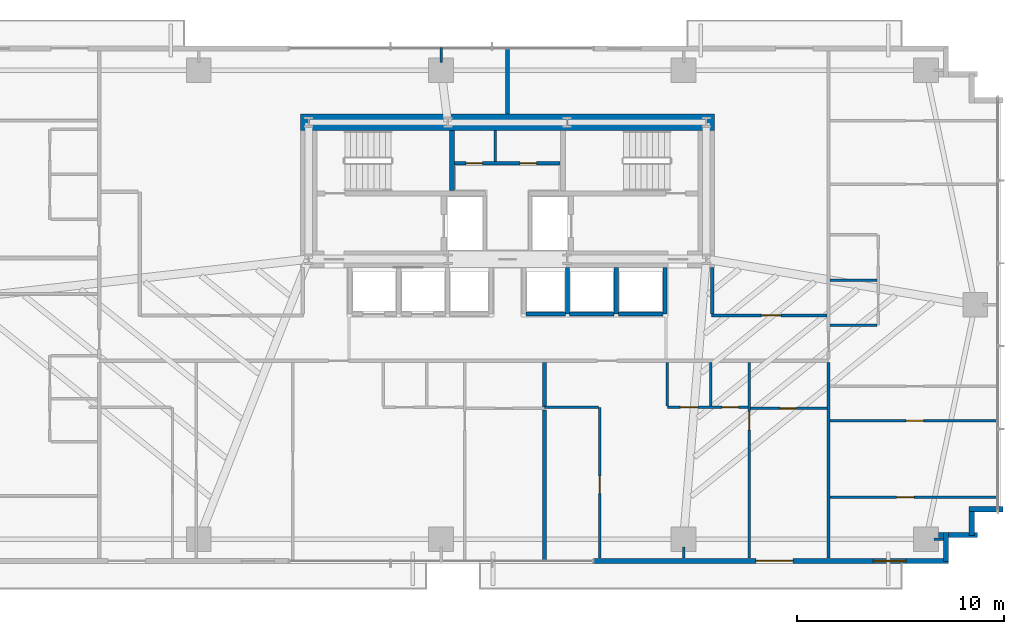
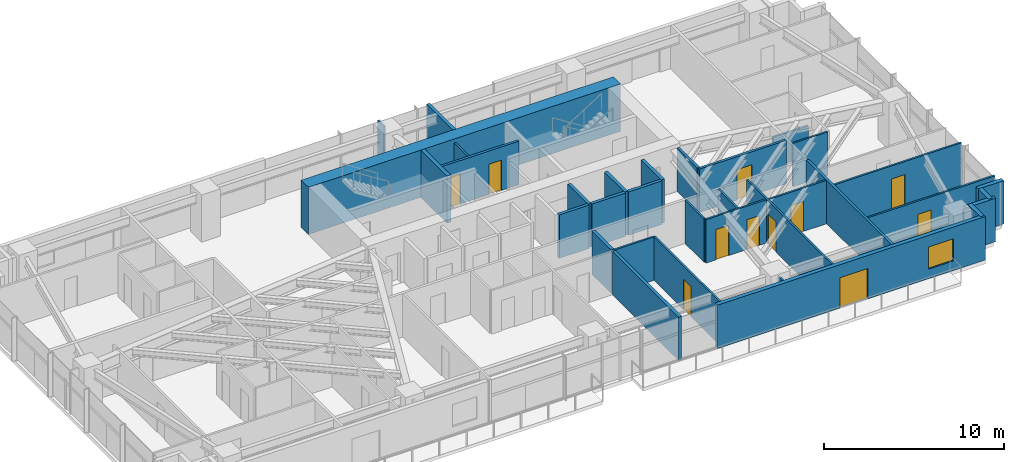
# One storey, part 21 of 25: 35 walls, 11 doors, 1 window, 12 openings.
"""IFC4 building model written with IfcOpenShell, lengths in metres."""

from ifc_helpers import new_model, si_unit, direction, frame, frame_2d, origin, place, context, subcontext, project, spatial, rectangle, extrude, source, transform, mapped, material, layer, layer_set, type_object, type_shapes, element, fill, save


model = new_model("IFC4")

# Units and contexts
model_context = context("Model", 3, precision=1e-05, world=origin(), true_north=direction((0.0, 1.0)))
body_context = subcontext(model_context, "Body", "Model", "MODEL_VIEW")
ifc_project = project(units=[si_unit("LENGTHUNIT", "METRE"), si_unit("AREAUNIT", "SQUARE_METRE"), si_unit("VOLUMEUNIT", "CUBIC_METRE"), si_unit("PLANEANGLEUNIT", "RADIAN"), si_unit("MASSUNIT", "GRAM", prefix="KILO")], contexts=[model_context])

# Site, building, storey
site_placement = place(None, origin())
site = spatial("IfcSite", under=ifc_project, at=site_placement, CompositionType="ELEMENT")
building_placement = place(site_placement, origin())
building = spatial("IfcBuilding", under=site, at=building_placement, Name="Astriad Promenade Condominiums", CompositionType="ELEMENT")
storey_placement = place(building_placement, frame((0.0, 0.0, 32.60009765625)))
storey = spatial("IfcBuildingStorey", under=building, at=storey_placement, Name="L08", CompositionType="ELEMENT", Elevation=32.60009765625)

# Walls
ifc_material_1 = material(Name="Concrete C80/95", Category="concrete")
ifc_layer_1 = layer(ifc_material_1, 0.800048828125)
ifc_layer_set_1 = layer_set([ifc_layer_1], Name="Concrete C80/95")
wall_type_1 = type_object("IfcWallType", Name="CW-SHEAR-800", PredefinedType="SHEAR", material=ifc_layer_set_1)
wall_1_placement = place(storey_placement, frame((26.0, 24.0, 0.0), z_axis=(0.0, 0.0, 1.0), x_axis=(1.0, 0.0, 0.0)))
element("IfcWall", 1, at=wall_1_placement, inside=storey, type_object=wall_type_1, Name="CW-CORE-N-L08", PredefinedType="SHEAR", context=body_context, shape_type="SweptSolid", body=[
    extrude(rectangle(XDim=20.0, YDim=0.800048828125, at=frame_2d((10.0, 0.0))), origin(), (0.0, 0.0, 1.0), 3.199951171875),
])
ifc_material_2 = material(Name="Concrete C50/60", Category="concrete")
ifc_layer_2 = layer(ifc_material_2, 0.25)
ifc_layer_set_2 = layer_set([ifc_layer_2], Name="Concrete C50/60")
wall_type_2 = type_object("IfcWallType", Name="WALL-CORE-INT-250", PredefinedType="SOLIDWALL", material=ifc_layer_set_2)
wall_2_placement = place(storey_placement, frame((33.324951171875, 20.701904296875, 0.0), z_axis=(0.0, 0.0, 1.0), x_axis=(0.0, 1.0, 0.0)))
element("IfcWall", 2, at=wall_2_placement, inside=storey, type_object=wall_type_2, Name="CW-ST1-E-L08", PredefinedType="SOLIDWALL", context=body_context, shape_type="SweptSolid", body=[
    extrude(rectangle(XDim=2.89599609375, YDim=0.25, at=frame_2d((1.447998046875, 0.0))), origin(), (0.0, 0.0, 1.0), 3.199951171875),
])

# Wall, openings, doors
ifc_material_3 = material(Name="Fire-Rated Gypsum Partition")
ifc_layer_3 = layer(ifc_material_3, 0.159912109375)
ifc_layer_set_3 = layer_set([ifc_layer_3], Name="Fire-Rated Gypsum Partition")
wall_type_3 = type_object("IfcWallType", Name="WALL-CORR-160", PredefinedType="PARTITIONING", material=ifc_layer_set_3)
wall_3_placement = place(storey_placement, frame((33.451904296875, 22.030029296875, 0.0), z_axis=(0.0, 0.0, 1.0), x_axis=(1.0, 0.0, 0.0)))
wall_3 = element("IfcWall", 3, at=wall_3_placement, inside=storey, type_object=wall_type_3, Name="CW-AUX-N-L08", PredefinedType="PARTITIONING", context=body_context, shape_type="SweptSolid", body=[
    extrude(rectangle(XDim=5.09619140625, YDim=0.159912109375, at=frame_2d((2.548095703125, 0.0))), origin(), (0.0, 0.0, 1.0), 2.93994140625),
])
opening_1_placement = place(wall_3_placement, frame((0.5380859375, 0.0, 0.0)))
opening_1 = element("IfcOpeningElement", 4, at=opening_1_placement, cuts=wall_3, Name="Opening FD60-SV-080", PredefinedType="OPENING", context=body_context, shape_type="SweptSolid", body=[
    extrude(rectangle(XDim=0.800048828125, YDim=2.050048828125, at=frame_2d((0.39990234375, 1.02490234375))), frame((0.0, 0.08984375, 0.0), z_axis=(0.0, -1.0, 0.0), x_axis=(1.0, 0.0, 0.0)), (0.0, 0.0, 1.0), 0.179931640625),
])
opening_2_placement = place(wall_3_placement, frame((3.157958984375, 0.0, 0.0)))
opening_2 = element("IfcOpeningElement", 5, at=opening_2_placement, cuts=wall_3, Name="Opening FD60-SV-080", PredefinedType="OPENING", context=body_context, shape_type="SweptSolid", body=[
    extrude(rectangle(XDim=0.800048828125, YDim=2.050048828125, at=frame_2d((0.39990234375, 1.02490234375))), frame((0.0, 0.08984375, 0.0), z_axis=(0.0, -1.0, 0.0), x_axis=(1.0, 0.0, 0.0)), (0.0, 0.0, 1.0), 0.179931640625),
])
ifc_material_4 = material(Name="Fire-Rated Riser Closet Door")
door_type_1 = type_object("IfcDoorType", Name="FD60-SV-080", OperationType="NOTDEFINED", PredefinedType="DOOR", material=ifc_material_4)
shared_shape_1 = source(origin(), body_context, "Body", "SweptSolid", [
    extrude(rectangle(XDim=0.800048828125, YDim=2.050048828125, at=frame_2d((0.39990234375, 1.02490234375))), frame((0.0, 0.02490234375, 0.0), z_axis=(0.0, -1.0, 0.0), x_axis=(1.0, 0.0, 0.0)), (0.0, 0.0, 1.0), 0.050048828125),
])
type_shapes(door_type_1, [shared_shape_1])
door_1_placement = place(opening_1_placement, origin())
door_1 = element("IfcDoor", 6, at=door_1_placement, inside=storey, type_object=door_type_1, Name="D-AUX1-L08", OperationType="SINGLE_SWING_LEFT", OverallHeight=2.050048828125, OverallWidth=0.800048828125, PredefinedType="DOOR", context=body_context, shape_type="MappedRepresentation", body=[
    mapped(shared_shape_1, transform((0.0, 0.0, 0.0), scale=1.0)),
])
fill(opening_1, door_1)
door_2_placement = place(opening_2_placement, origin())
door_2 = element("IfcDoor", 7, at=door_2_placement, inside=storey, type_object=door_type_1, Name="D-AUX2-L08", OperationType="SINGLE_SWING_RIGHT", OverallHeight=2.050048828125, OverallWidth=0.800048828125, PredefinedType="DOOR", context=body_context, shape_type="MappedRepresentation", body=[
    mapped(shared_shape_1, transform((0.0, 0.0, 0.0), scale=1.0)),
])
fill(opening_2, door_2)

# Wall
wall_4_placement = place(storey_placement, frame((51.5, 2.9619140625, 0.0), z_axis=(0.0, 0.0, 1.0), x_axis=(0.0, 1.0, 0.0)))
element("IfcWall", 8, at=wall_4_placement, inside=storey, type_object=wall_type_3, Name="PT-COR-E-L08", PredefinedType="PARTITIONING", context=body_context, shape_type="SweptSolid", body=[
    extrude(rectangle(XDim=9.446044921875, YDim=0.159912109375, at=frame_2d((4.72314453125, 0.0))), origin(), (0.0, 0.0, 1.0), 2.93994140625),
])

# Wall, opening, door
wall_5_placement = place(storey_placement, frame((45.840087890625, 14.679931640625, 0.0), z_axis=(0.0, 0.0, 1.0), x_axis=(1.0, 0.0, 0.0)))
wall_5 = element("IfcWall", 9, at=wall_5_placement, inside=storey, type_object=wall_type_3, Name="PT-FLK-NE-L08", PredefinedType="PARTITIONING", context=body_context, shape_type="SweptSolid", body=[
    extrude(rectangle(XDim=5.577880859375, YDim=0.159912109375, at=frame_2d((2.7890625, 0.0))), origin(), (0.0, 0.0, 1.0), 2.93994140625),
])
opening_3_placement = place(wall_5_placement, frame((2.4150390625, 0.0, 0.0)))
opening_3 = element("IfcOpeningElement", 10, at=opening_3_placement, cuts=wall_5, Name="Opening FD60-APT-095", PredefinedType="OPENING", context=body_context, shape_type="SweptSolid", body=[
    extrude(rectangle(XDim=0.949951171875, YDim=2.06005859375, at=frame_2d((0.47509765625, 1.030029296875))), frame((0.0, 0.08984375, 0.0), z_axis=(0.0, -1.0, 0.0), x_axis=(1.0, 0.0, 0.0)), (0.0, 0.0, 1.0), 0.179931640625),
])
ifc_material_5 = material(Name="Solid-Core Acoustic Timber Residence Entry Door", Category="wood")
door_type_2 = type_object("IfcDoorType", Name="FD60-APT-095", OperationType="NOTDEFINED", PredefinedType="DOOR", material=ifc_material_5)
shared_shape_2 = source(origin(), body_context, "Body", "SweptSolid", [
    extrude(rectangle(XDim=0.949951171875, YDim=2.06005859375, at=frame_2d((0.47509765625, 1.030029296875))), frame((0.0, 0.02490234375, 0.0), z_axis=(0.0, -1.0, 0.0), x_axis=(1.0, 0.0, 0.0)), (0.0, 0.0, 1.0), 0.050048828125),
])
type_shapes(door_type_2, [shared_shape_2])
door_3_placement = place(opening_3_placement, origin())
door_3 = element("IfcDoor", 11, at=door_3_placement, inside=storey, type_object=door_type_2, Name="D-NEA-L08", OperationType="SINGLE_SWING_RIGHT", OverallHeight=2.06005859375, OverallWidth=0.949951171875, PredefinedType="DOOR", context=body_context, shape_type="MappedRepresentation", body=[
    mapped(shared_shape_2, transform((0.0, 0.0, 0.0), scale=1.0)),
])
fill(opening_3, door_3)

# Walls
wall_6_placement = place(storey_placement, frame((45.8798828125, 14.761962890625, 0.0), z_axis=(0.0, 0.0, 1.0), x_axis=(0.0, 1.0, 0.0)))
element("IfcWall", 12, at=wall_6_placement, inside=storey, type_object=wall_type_3, Name="PT-ESPUR-E-L08", PredefinedType="PARTITIONING", context=body_context, shape_type="SweptSolid", body=[
    extrude(rectangle(XDim=2.236083984375, YDim=0.159912109375, at=frame_2d((1.1181640625, 0.0))), origin(), (0.0, 0.0, 1.0), 2.93994140625),
])
ifc_material_6 = material(Name="Acoustic Double-Stud Gypsum Partition")
ifc_layer_4 = layer(ifc_material_6, 0.199951171875)
ifc_layer_set_4 = layer_set([ifc_layer_4], Name="Acoustic Double-Stud Gypsum Partition")
wall_type_4 = type_object("IfcWallType", Name="WALL-DEMISING-200", PredefinedType="PARTITIONING", material=ifc_layer_set_4)
wall_7_placement = place(storey_placement, frame((36.0, 24.402099609375, 0.0), z_axis=(0.0, 0.0, 1.0), x_axis=(0.0, 1.0, 0.0)))
element("IfcWall", 13, at=wall_7_placement, inside=storey, type_object=wall_type_4, Name="PT-NC-MID-L08", PredefinedType="PARTITIONING", context=body_context, shape_type="SweptSolid", body=[
    extrude(rectangle(XDim=3.218017578125, YDim=0.199951171875, at=frame_2d((1.60888671875, 0.0))), origin(), (0.0, 0.0, 1.0), 2.93994140625),
])
wall_8_placement = place(storey_placement, frame((37.7939453125, 2.780029296875, 0.0), z_axis=(0.0, 0.0, 1.0), x_axis=(0.0, 1.0, 0.0)))
element("IfcWall", 14, at=wall_8_placement, inside=storey, type_object=wall_type_4, Name="PT-DEM-S1-L08", PredefinedType="PARTITIONING", context=body_context, shape_type="SweptSolid", body=[
    extrude(rectangle(XDim=7.347900390625, YDim=0.199951171875, at=frame_2d((3.673828125, 0.0))), origin(), (0.0, 0.0, 1.0), 2.93994140625),
])
wall_9_placement = place(storey_placement, frame((37.7939453125, 10.251953125, 0.0), z_axis=(0.0, 0.0, 1.0), x_axis=(0.0, 1.0, 0.0)))
element("IfcWall", 15, at=wall_9_placement, inside=storey, type_object=wall_type_4, Name="PT-DEM-S1-L08-S2", PredefinedType="PARTITIONING", context=body_context, shape_type="SweptSolid", body=[
    extrude(rectangle(XDim=2.156005859375, YDim=0.199951171875, at=frame_2d((1.078125, 0.0))), origin(), (0.0, 0.0, 1.0), 2.93994140625),
])
ifc_material_7 = material(Name="Precast concrete C50/60", Category="concrete")
ifc_layer_5 = layer(ifc_material_7, 0.260009765625)
ifc_layer_set_5 = layer_set([ifc_layer_5], Name="Precast concrete C50/60")
wall_type_5 = type_object("IfcWallType", Name="WALL-EXT-TWR-260", PredefinedType="STANDARD", material=ifc_layer_set_5)
wall_10_placement = place(storey_placement, frame((59.929931640625, 5.330078125, 0.0), z_axis=(0.0, 0.0, 1.0), x_axis=(-1.0, 0.0, 0.0)))
element("IfcWall", 16, at=wall_10_placement, inside=storey, type_object=wall_type_5, Name="W-SER-L08-14", PredefinedType="STANDARD", context=body_context, shape_type="SweptSolid", body=[
    extrude(rectangle(XDim=1.639892578125, YDim=0.260009765625, at=frame_2d((0.81982421875, 0.0))), origin(), (0.0, 0.0, 1.0), 2.93994140625),
])
wall_11_placement = place(storey_placement, frame((58.419921875, 5.215087890625, 0.0), z_axis=(0.0, 0.0, 1.0), x_axis=(0.0, -1.0, 0.0)))
element("IfcWall", 17, at=wall_11_placement, inside=storey, type_object=wall_type_5, Name="W-SER-L08-15", PredefinedType="STANDARD", context=body_context, shape_type="SweptSolid", body=[
    extrude(rectangle(XDim=1.150146484375, YDim=0.260009765625, at=frame_2d((0.5751953125, 0.0))), origin(), (0.0, 0.0, 1.0), 2.93994140625),
])
wall_12_placement = place(storey_placement, frame((58.679931640625, 4.080078125, 0.0), z_axis=(0.0, 0.0, 1.0), x_axis=(-1.0, 0.0, 0.0)))
element("IfcWall", 18, at=wall_12_placement, inside=storey, type_object=wall_type_5, Name="W-SER-L08-16", PredefinedType="STANDARD", context=body_context, shape_type="SweptSolid", body=[
    extrude(rectangle(XDim=1.8779296875, YDim=0.260009765625, at=frame_2d((0.93896484375, 0.0))), origin(), (0.0, 0.0, 1.0), 2.93994140625),
])
wall_13_placement = place(storey_placement, frame((57.169921875, 4.2099609375, 0.0), z_axis=(0.0, 0.0, 1.0), x_axis=(0.0, -1.0, 0.0)))
element("IfcWall", 19, at=wall_13_placement, inside=storey, type_object=wall_type_5, Name="W-SER-L08-17", PredefinedType="STANDARD", context=body_context, shape_type="SweptSolid", body=[
    extrude(rectangle(XDim=1.39501953125, YDim=0.260009765625, at=frame_2d((0.697509765625, 0.0))), origin(), (0.0, 0.0, 1.0), 2.93994140625),
])

# Wall, openings, door, window
wall_14_placement = place(storey_placement, frame((57.300048828125, 2.830078125, 0.0), z_axis=(0.0, 0.0, 1.0), x_axis=(-1.0, 0.0, 0.0)))
wall_14 = element("IfcWall", 20, at=wall_14_placement, inside=storey, type_object=wall_type_5, Name="W-EXT-L08-S1", PredefinedType="STANDARD", context=body_context, shape_type="SweptSolid", body=[
    extrude(rectangle(XDim=17.150146484375, YDim=0.260009765625, at=frame_2d((8.5751953125, 0.0))), origin(), (0.0, 0.0, 1.0), 2.93994140625),
])
opening_4_placement = place(wall_14_placement, frame((7.512939453125, 0.0, 0.0)))
opening_4 = element("IfcOpeningElement", 21, at=opening_4_placement, cuts=wall_14, Name="Opening BD-1822-SLD", PredefinedType="OPENING", context=body_context, shape_type="SweptSolid", body=[
    extrude(rectangle(XDim=1.800048828125, YDim=2.06005859375, at=frame_2d((0.89990234375, 1.030029296875))), frame((0.0, 0.139892578125, 0.0), z_axis=(0.0, -1.0, 0.0), x_axis=(1.0, 0.0, 0.0)), (0.0, 0.0, 1.0), 0.280029296875),
])
opening_5_placement = place(wall_14_placement, frame((2.050048828125, 0.0, 0.64990234375)))
opening_5 = element("IfcOpeningElement", 22, at=opening_5_placement, cuts=wall_14, Name="Opening WIN-TWR-1620", PredefinedType="OPENING", context=body_context, shape_type="SweptSolid", body=[
    extrude(rectangle(XDim=1.60009765625, YDim=1.5, at=frame_2d((0.800048828125, 0.75))), frame((0.0, 0.139892578125, 0.0), z_axis=(0.0, -1.0, 0.0), x_axis=(1.0, 0.0, 0.0)), (0.0, 0.0, 1.0), 0.280029296875),
])
ifc_material_8 = material(Name="Thermally Broken Aluminium Sliding Balcony Door", Category="aluminium")
door_type_3 = type_object("IfcDoorType", Name="BD-1822-SLD", OperationType="NOTDEFINED", PredefinedType="DOOR", material=ifc_material_8)
shared_shape_3 = source(origin(), body_context, "Body", "SweptSolid", [
    extrude(rectangle(XDim=1.800048828125, YDim=2.06005859375, at=frame_2d((0.89990234375, 1.030029296875))), frame((0.0, 0.02490234375, 0.0), z_axis=(0.0, -1.0, 0.0), x_axis=(1.0, 0.0, 0.0)), (0.0, 0.0, 1.0), 0.050048828125),
])
type_shapes(door_type_3, [shared_shape_3])
door_4_placement = place(opening_4_placement, origin())
door_4 = element("IfcDoor", 23, at=door_4_placement, inside=storey, type_object=door_type_3, Name="BD-L08-SE", OperationType="SLIDING_TO_RIGHT", OverallHeight=2.06005859375, OverallWidth=1.800048828125, PredefinedType="DOOR", context=body_context, shape_type="MappedRepresentation", body=[
    mapped(shared_shape_3, transform((0.0, 0.0, 0.0), scale=1.0)),
])
fill(opening_4, door_4)
ifc_material_9 = material(Name="Dark Tinted Triple-Glazed Aluminium Window", Category="aluminium")
window_type = type_object("IfcWindowType", Name="WIN-TWR-1620", PartitioningType="SINGLE_PANEL", PredefinedType="WINDOW", material=ifc_material_9)
shared_shape_4 = source(origin(), body_context, "Body", "SweptSolid", [
    extrude(rectangle(XDim=1.60009765625, YDim=1.5, at=frame_2d((0.800048828125, 0.75))), frame((0.0, 0.030029296875, 0.0), z_axis=(0.0, -1.0, 0.0), x_axis=(1.0, 0.0, 0.0)), (0.0, 0.0, 1.0), 0.06005859375),
])
type_shapes(window_type, [shared_shape_4])
window_placement = place(opening_5_placement, origin())
window = element("IfcWindow", 24, at=window_placement, inside=storey, type_object=window_type, Name="WIN-L08-SE", OverallHeight=1.5, OverallWidth=1.60009765625, PartitioningType="SINGLE_PANEL", PredefinedType="WINDOW", context=body_context, shape_type="MappedRepresentation", body=[
    mapped(shared_shape_4, transform((0.0, 0.0, 0.0), scale=1.0)),
])
fill(opening_5, window)

# Wall
ifc_material_10 = material(Name="Acoustic Metal-Stud Gypsum Partition")
ifc_layer_6 = layer(ifc_material_10, 0.1201171875)
ifc_layer_set_6 = layer_set([ifc_layer_6], Name="Acoustic Metal-Stud Gypsum Partition")
wall_type_6 = type_object("IfcWallType", Name="WALL-PART-120", PredefinedType="PARTITIONING", material=ifc_layer_set_6)
wall_15_placement = place(storey_placement, frame((35.39990234375, 22.112060546875, 0.0), z_axis=(0.0, 0.0, 1.0), x_axis=(0.0, 1.0, 0.0)))
element("IfcWall", 25, at=wall_15_placement, inside=storey, type_object=wall_type_6, Name="CW-AUX-V1-L08", PredefinedType="PARTITIONING", context=body_context, shape_type="SweptSolid", body=[
    extrude(rectangle(XDim=1.48583984375, YDim=0.1201171875, at=frame_2d((0.742919921875, 0.0))), origin(), (0.0, 0.0, 1.0), 2.93994140625),
])

# Wall, opening, door
wall_16_placement = place(storey_placement, frame((47.669921875, 2.9619140625, 0.0), z_axis=(0.0, 0.0, 1.0), x_axis=(0.0, 1.0, 0.0)))
wall_16 = element("IfcWall", 26, at=wall_16_placement, inside=storey, type_object=wall_type_6, Name="PT-L08-S2-BD1", PredefinedType="PARTITIONING", context=body_context, shape_type="SweptSolid", body=[
    extrude(rectangle(XDim=9.446044921875, YDim=0.1201171875, at=frame_2d((4.72314453125, 0.0))), origin(), (0.0, 0.0, 1.0), 2.93994140625),
])
opening_6_placement = place(wall_16_placement, frame((6.177978515625, 0.0, 0.0)))
opening_6 = element("IfcOpeningElement", 27, at=opening_6_placement, cuts=wall_16, Name="Opening D-INT-090", PredefinedType="OPENING", context=body_context, shape_type="SweptSolid", body=[
    extrude(rectangle(XDim=0.89990234375, YDim=2.050048828125, at=frame_2d((0.449951171875, 1.02490234375))), frame((0.0, 0.070068359375, 0.0), z_axis=(0.0, -1.0, 0.0), x_axis=(1.0, 0.0, 0.0)), (0.0, 0.0, 1.0), 0.14013671875),
])
ifc_material_11 = material(Name="Painted Solid-Core Timber Bedroom Door", Category="wood")
door_type_4 = type_object("IfcDoorType", Name="D-INT-090", OperationType="NOTDEFINED", PredefinedType="DOOR", material=ifc_material_11)
shared_shape_5 = source(origin(), body_context, "Body", "SweptSolid", [
    extrude(rectangle(XDim=0.89990234375, YDim=2.050048828125, at=frame_2d((0.449951171875, 1.02490234375))), frame((0.0, 0.02490234375, 0.0), z_axis=(0.0, -1.0, 0.0), x_axis=(1.0, 0.0, 0.0)), (0.0, 0.0, 1.0), 0.050048828125),
])
type_shapes(door_type_4, [shared_shape_5])
door_5_placement = place(opening_6_placement, origin())
door_5 = element("IfcDoor", 28, at=door_5_placement, inside=storey, type_object=door_type_4, Name="D-BD1-L08-S2", OperationType="SINGLE_SWING_RIGHT", OverallHeight=2.050048828125, OverallWidth=0.89990234375, PredefinedType="DOOR", context=body_context, shape_type="MappedRepresentation", body=[
    mapped(shared_shape_5, transform((0.0, 0.0, 0.0), scale=1.0)),
])
fill(opening_6, door_5)

# Wall, openings, doors
wall_17_placement = place(storey_placement, frame((43.719970703125, 10.239990234375, 0.0), z_axis=(0.0, 0.0, 1.0), x_axis=(1.0, 0.0, 0.0)))
wall_17 = element("IfcWall", 29, at=wall_17_placement, inside=storey, type_object=wall_type_6, Name="PT-L08-S2-PS", PredefinedType="PARTITIONING", context=body_context, shape_type="SweptSolid", body=[
    extrude(rectangle(XDim=3.887939453125, YDim=0.1201171875, at=frame_2d((1.94384765625, 0.0))), origin(), (0.0, 0.0, 1.0), 2.93994140625),
])
opening_7_placement = place(wall_17_placement, frame((0.625, 0.0, 0.0)))
opening_7 = element("IfcOpeningElement", 30, at=opening_7_placement, cuts=wall_17, Name="Opening D-INT-085", PredefinedType="OPENING", context=body_context, shape_type="SweptSolid", body=[
    extrude(rectangle(XDim=0.85009765625, YDim=2.050048828125, at=frame_2d((0.425048828125, 1.02490234375))), frame((0.0, 0.070068359375, 0.0), z_axis=(0.0, -1.0, 0.0), x_axis=(1.0, 0.0, 0.0)), (0.0, 0.0, 1.0), 0.14013671875),
])
opening_8_placement = place(wall_17_placement, frame((2.625, 0.0, 0.0)))
opening_8 = element("IfcOpeningElement", 31, at=opening_8_placement, cuts=wall_17, Name="Opening D-WET-080", PredefinedType="OPENING", context=body_context, shape_type="SweptSolid", body=[
    extrude(rectangle(XDim=0.800048828125, YDim=2.02001953125, at=frame_2d((0.39990234375, 1.010009765625))), frame((0.0, 0.070068359375, 0.0), z_axis=(0.0, -1.0, 0.0), x_axis=(1.0, 0.0, 0.0)), (0.0, 0.0, 1.0), 0.14013671875),
])
ifc_material_12 = material(Name="Moisture-Resistant Timber Bathroom Door", Category="wood")
door_type_5 = type_object("IfcDoorType", Name="D-WET-080", OperationType="NOTDEFINED", PredefinedType="DOOR", material=ifc_material_12)
shared_shape_6 = source(origin(), body_context, "Body", "SweptSolid", [
    extrude(rectangle(XDim=0.800048828125, YDim=2.02001953125, at=frame_2d((0.39990234375, 1.010009765625))), frame((0.0, 0.02490234375, 0.0), z_axis=(0.0, -1.0, 0.0), x_axis=(1.0, 0.0, 0.0)), (0.0, 0.0, 1.0), 0.050048828125),
])
type_shapes(door_type_5, [shared_shape_6])
door_6_placement = place(opening_8_placement, origin())
door_6 = element("IfcDoor", 32, at=door_6_placement, inside=storey, type_object=door_type_5, Name="D-BTH-L08-S2", OperationType="SINGLE_SWING_RIGHT", OverallHeight=2.02001953125, OverallWidth=0.800048828125, PredefinedType="DOOR", context=body_context, shape_type="MappedRepresentation", body=[
    mapped(shared_shape_6, transform((0.0, 0.0, 0.0), scale=1.0)),
])
fill(opening_8, door_6)
ifc_material_13 = material(Name="Painted Solid-Core Timber Room Door", Category="wood")
door_type_6 = type_object("IfcDoorType", Name="D-INT-085", OperationType="NOTDEFINED", PredefinedType="DOOR", material=ifc_material_13)
shared_shape_7 = source(origin(), body_context, "Body", "SweptSolid", [
    extrude(rectangle(XDim=0.85009765625, YDim=2.050048828125, at=frame_2d((0.425048828125, 1.02490234375))), frame((0.0, 0.02490234375, 0.0), z_axis=(0.0, -1.0, 0.0), x_axis=(1.0, 0.0, 0.0)), (0.0, 0.0, 1.0), 0.050048828125),
])
type_shapes(door_type_6, [shared_shape_7])
door_7_placement = place(opening_7_placement, origin())
door_7 = element("IfcDoor", 33, at=door_7_placement, inside=storey, type_object=door_type_6, Name="D-KIT-L08-S2", OperationType="SINGLE_SWING_LEFT", OverallHeight=2.050048828125, OverallWidth=0.85009765625, PredefinedType="DOOR", context=body_context, shape_type="MappedRepresentation", body=[
    mapped(shared_shape_7, transform((0.0, 0.0, 0.0), scale=1.0)),
])
fill(opening_7, door_7)

# Walls
for number, where, z_axis, x_axis, name in (
    (34, (45.820068359375, 10.302001953125, 0.0), (0.0, 0.0, 1.0), (0.0, 1.0, 0.0), "PT-L08-S2-PBK"),
    (35, (43.719970703125, 10.302001953125, 0.0), (0.0, 0.0, 1.0), (0.0, 1.0, 0.0), "PT-L08-S2-PKW"),
):
    element("IfcWall", number, at=place(storey_placement, frame(where, z_axis=z_axis, x_axis=x_axis)), inside=storey, type_object=wall_type_6, Name=name, PredefinedType="PARTITIONING", context=body_context, shape_type="SweptSolid", body=[
        extrude(rectangle(XDim=2.10595703125, YDim=0.1201171875, at=frame_2d((1.052978515625, 0.0))), origin(), (0.0, 0.0, 1.0), 2.93994140625),
    ])

# Wall, opening, door
wall_18_placement = place(storey_placement, frame((47.73193359375, 10.18994140625, 0.0), z_axis=(0.0, 0.0, 1.0), x_axis=(1.0, 0.0, 0.0)))
wall_18 = element("IfcWall", 36, at=wall_18_placement, inside=storey, type_object=wall_type_6, Name="PT-L08-S2-ENS", PredefinedType="PARTITIONING", context=body_context, shape_type="SweptSolid", body=[
    extrude(rectangle(XDim=3.68603515625, YDim=0.1201171875, at=frame_2d((1.843017578125, 0.0))), origin(), (0.0, 0.0, 1.0), 2.93994140625),
])
opening_9_placement = place(wall_18_placement, frame((1.4130859375, 0.0, 0.0)))
opening_9 = element("IfcOpeningElement", 37, at=opening_9_placement, cuts=wall_18, Name="Opening D-WET-080", PredefinedType="OPENING", context=body_context, shape_type="SweptSolid", body=[
    extrude(rectangle(XDim=0.800048828125, YDim=2.02001953125, at=frame_2d((0.39990234375, 1.010009765625))), frame((0.0, 0.070068359375, 0.0), z_axis=(0.0, -1.0, 0.0), x_axis=(1.0, 0.0, 0.0)), (0.0, 0.0, 1.0), 0.14013671875),
])
door_8_placement = place(opening_9_placement, origin())
door_8 = element("IfcDoor", 38, at=door_8_placement, inside=storey, type_object=door_type_5, Name="D-ENS-L08-S2", OperationType="SINGLE_SWING_LEFT", OverallHeight=2.02001953125, OverallWidth=0.800048828125, PredefinedType="DOOR", context=body_context, shape_type="MappedRepresentation", body=[
    mapped(shared_shape_6, transform((0.0, 0.0, 0.0), scale=1.0)),
])
fill(opening_9, door_8)

wall_19_placement = place(storey_placement, frame((40.45703125, 2.9619140625, 0.0), z_axis=(0.0, 0.0, 1.0), x_axis=(0.0, 1.0, 0.0)))
wall_19 = element("IfcWall", 39, at=wall_19_placement, inside=storey, type_object=wall_type_6, Name="PT-L08-S2-EXV", PredefinedType="PARTITIONING", context=body_context, shape_type="SweptSolid", body=[
    extrude(rectangle(XDim=7.278076171875, YDim=0.1201171875, at=frame_2d((3.63916015625, 0.0))), origin(), (0.0, 0.0, 1.0), 2.93994140625),
])
opening_10_placement = place(wall_19_placement, frame((3.113037109375, 0.0, 0.0)))
opening_10 = element("IfcOpeningElement", 40, at=opening_10_placement, cuts=wall_19, Name="Opening D-INT-085", PredefinedType="OPENING", context=body_context, shape_type="SweptSolid", body=[
    extrude(rectangle(XDim=0.85009765625, YDim=2.050048828125, at=frame_2d((0.425048828125, 1.02490234375))), frame((0.0, 0.070068359375, 0.0), z_axis=(0.0, -1.0, 0.0), x_axis=(1.0, 0.0, 0.0)), (0.0, 0.0, 1.0), 0.14013671875),
])
door_9_placement = place(opening_10_placement, origin())
door_9 = element("IfcDoor", 41, at=door_9_placement, inside=storey, type_object=door_type_6, Name="D-EX-L08-S2", OperationType="SINGLE_SWING_RIGHT", OverallHeight=2.050048828125, OverallWidth=0.85009765625, PredefinedType="DOOR", context=body_context, shape_type="MappedRepresentation", body=[
    mapped(shared_shape_7, transform((0.0, 0.0, 0.0), scale=1.0)),
])
fill(opening_10, door_9)

# Walls
wall_20_placement = place(storey_placement, frame((37.7939453125, 10.239990234375, 0.0), z_axis=(0.0, 0.0, 1.0), x_axis=(1.0, 0.0, 0.0)))
element("IfcWall", 42, at=wall_20_placement, inside=storey, type_object=wall_type_6, Name="PT-L08-S2-EXH", PredefinedType="PARTITIONING", context=body_context, shape_type="SweptSolid", body=[
    extrude(rectangle(XDim=2.60107421875, YDim=0.1201171875, at=frame_2d((1.300537109375, 0.0))), origin(), (0.0, 0.0, 1.0), 2.93994140625),
])
wall_21_placement = place(storey_placement, frame((51.58203125, 16.39208984375, 0.0), z_axis=(0.0, 0.0, 1.0), x_axis=(1.0, 0.0, 0.0)))
element("IfcWall", 43, at=wall_21_placement, inside=storey, type_object=wall_type_6, Name="PT-L08-E1-PM", PredefinedType="PARTITIONING", context=body_context, shape_type="SweptSolid", body=[
    extrude(rectangle(XDim=2.255859375, YDim=0.1201171875, at=frame_2d((1.1279296875, 0.0))), origin(), (0.0, 0.0, 1.0), 2.044921875),
])
wall_22_placement = place(storey_placement, frame((51.58203125, 14.217041015625, 0.0), z_axis=(0.0, 0.0, 1.0), x_axis=(1.0, 0.0, 0.0)))
element("IfcWall", 44, at=wall_22_placement, inside=storey, type_object=wall_type_6, Name="PT-L08-E1-PS", PredefinedType="PARTITIONING", context=body_context, shape_type="SweptSolid", body=[
    extrude(rectangle(XDim=2.255859375, YDim=0.1201171875, at=frame_2d((1.1279296875, 0.0))), origin(), (0.0, 0.0, 1.0), 2.93994140625),
])

# Wall, opening, door
wall_23_placement = place(storey_placement, frame((51.58203125, 5.909912109375, 0.0), z_axis=(0.0, 0.0, 1.0), x_axis=(1.0, 0.0, 0.0)))
wall_23 = element("IfcWall", 45, at=wall_23_placement, inside=storey, type_object=wall_type_6, Name="PT-L08-E1-B2", PredefinedType="PARTITIONING", context=body_context, shape_type="SweptSolid", body=[
    extrude(rectangle(XDim=8.137939453125, YDim=0.1201171875, at=frame_2d((4.06884765625, 0.0))), origin(), (0.0, 0.0, 1.0), 2.93994140625),
])
opening_11_placement = place(wall_23_placement, frame((3.202880859375, 0.0, 0.0)))
opening_11 = element("IfcOpeningElement", 46, at=opening_11_placement, cuts=wall_23, Name="Opening D-INT-085", PredefinedType="OPENING", context=body_context, shape_type="SweptSolid", body=[
    extrude(rectangle(XDim=0.85009765625, YDim=2.050048828125, at=frame_2d((0.425048828125, 1.02490234375))), frame((0.0, 0.070068359375, 0.0), z_axis=(0.0, -1.0, 0.0), x_axis=(1.0, 0.0, 0.0)), (0.0, 0.0, 1.0), 0.14013671875),
])
door_10_placement = place(opening_11_placement, origin())
door_10 = element("IfcDoor", 47, at=door_10_placement, inside=storey, type_object=door_type_6, Name="D-BD2-L08-E1", OperationType="SINGLE_SWING_LEFT", OverallHeight=2.050048828125, OverallWidth=0.85009765625, PredefinedType="DOOR", context=body_context, shape_type="MappedRepresentation", body=[
    mapped(shared_shape_7, transform((0.0, 0.0, 0.0), scale=1.0)),
])
fill(opening_11, door_10)

wall_24_placement = place(storey_placement, frame((51.58203125, 9.597900390625, 0.0), z_axis=(0.0, 0.0, 1.0), x_axis=(1.0, 0.0, 0.0)))
wall_24 = element("IfcWall", 48, at=wall_24_placement, inside=storey, type_object=wall_type_6, Name="PT-L08-E1-WDS1", PredefinedType="PARTITIONING", context=body_context, shape_type="SweptSolid", body=[
    extrude(rectangle(XDim=8.137939453125, YDim=0.1201171875, at=frame_2d((4.06884765625, 0.0))), origin(), (0.0, 0.0, 1.0), 2.93994140625),
])
opening_12_placement = place(wall_24_placement, frame((3.653076171875, 0.0, 0.0)))
opening_12 = element("IfcOpeningElement", 49, at=opening_12_placement, cuts=wall_24, Name="Opening D-INT-085", PredefinedType="OPENING", context=body_context, shape_type="SweptSolid", body=[
    extrude(rectangle(XDim=0.85009765625, YDim=2.050048828125, at=frame_2d((0.425048828125, 1.02490234375))), frame((0.0, 0.070068359375, 0.0), z_axis=(0.0, -1.0, 0.0), x_axis=(1.0, 0.0, 0.0)), (0.0, 0.0, 1.0), 0.14013671875),
])
door_11_placement = place(opening_12_placement, origin())
door_11 = element("IfcDoor", 50, at=door_11_placement, inside=storey, type_object=door_type_6, Name="D-WDS1-L08-E1", OperationType="SINGLE_SWING_RIGHT", OverallHeight=2.050048828125, OverallWidth=0.85009765625, PredefinedType="DOOR", context=body_context, shape_type="MappedRepresentation", body=[
    mapped(shared_shape_7, transform((0.0, 0.0, 0.0), scale=1.0)),
])
fill(opening_12, door_11)

# Walls
wall_25_placement = place(storey_placement, frame((44.5, 3.5, 0.0), z_axis=(0.0, 0.0, 1.0), x_axis=(0.0, -1.0, 0.0)))
element("IfcWall", 51, at=wall_25_placement, inside=storey, type_object=wall_type_6, Name="PT-PIL-L08-PC04-11", PredefinedType="PARTITIONING", context=body_context, shape_type="SweptSolid", body=[
    extrude(rectangle(XDim=0.5380859375, YDim=0.1201171875, at=frame_2d((0.26904296875, 0.0))), origin(), (0.0, 0.0, 1.0), 2.93994140625),
])
wall_26_placement = place(storey_placement, frame((56.580078125, 3.8798828125, 0.0), z_axis=(0.0, 0.0, 1.0), x_axis=(1.0, 0.0, 0.0)))
element("IfcWall", 52, at=wall_26_placement, inside=storey, type_object=wall_type_6, Name="PT-PIL-L08-PC05-12", PredefinedType="PARTITIONING", context=body_context, shape_type="SweptSolid", body=[
    extrude(rectangle(XDim=0.4580078125, YDim=0.1201171875, at=frame_2d((0.22900390625, 0.0))), origin(), (0.0, 0.0, 1.0), 2.93994140625),
])
wall_27_placement = place(storey_placement, frame((32.800048828125, 26.89990234375, 0.0), z_axis=(0.0, 0.0, 1.0), x_axis=(0.0, 1.0, 0.0)))
element("IfcWall", 53, at=wall_27_placement, inside=storey, type_object=wall_type_6, Name="PT-PIL-L08-PC08-15", PredefinedType="PARTITIONING", context=body_context, shape_type="SweptSolid", body=[
    extrude(rectangle(XDim=0.72021484375, YDim=0.1201171875, at=frame_2d((0.360107421875, 0.0))), origin(), (0.0, 0.0, 1.0), 2.93994140625),
])
ifc_material_14 = material(Name="Gypsum Shaftliner Assembly")
ifc_layer_7 = layer(ifc_material_14, 0.199951171875)
ifc_layer_set_7 = layer_set([ifc_layer_7], Name="Gypsum Shaftliner Assembly")
wall_type_7 = type_object("IfcWallType", Name="WALL-SHAFT-200", PredefinedType="PARTITIONING", material=ifc_layer_set_7)
wall_28_placement = place(storey_placement, frame((38.89990234375, 14.75, 0.0), z_axis=(0.0, 0.0, 1.0), x_axis=(0.0, 1.0, 0.0)))
element("IfcWall", 54, at=wall_28_placement, inside=storey, type_object=wall_type_7, Name="PL-MH-DIV-L08", PredefinedType="PARTITIONING", context=body_context, shape_type="SweptSolid", body=[
    extrude(rectangle(XDim=2.248046875, YDim=0.199951171875, at=frame_2d((1.1240234375, 0.0))), origin(), (0.0, 0.0, 1.0), 2.93994140625),
])
wall_29_placement = place(storey_placement, frame((36.902099609375, 14.75, 0.0), z_axis=(0.0, 0.0, 1.0), x_axis=(1.0, 0.0, 0.0)))
element("IfcWall", 55, at=wall_29_placement, inside=storey, type_object=wall_type_7, Name="PL-M2-F-L08", PredefinedType="PARTITIONING", context=body_context, shape_type="SweptSolid", body=[
    extrude(rectangle(XDim=1.89599609375, YDim=0.199951171875, at=frame_2d((0.947998046875, 0.0))), origin(), (0.0, 0.0, 1.0), 2.93994140625),
])
for number, where, z_axis, x_axis, name in (
    (56, (41.25, 14.75, 0.0), (0.0, 0.0, 1.0), (0.0, 1.0, 0.0), "PL-H-DIV-L08"),
    (57, (43.60009765625, 14.75, 0.0), (0.0, 0.0, 1.0), (0.0, 1.0, 0.0), "PL-E-OUT-L08"),
):
    element("IfcWall", number, at=place(storey_placement, frame(where, z_axis=z_axis, x_axis=x_axis)), inside=storey, type_object=wall_type_7, Name=name, PredefinedType="PARTITIONING", context=body_context, shape_type="SweptSolid", body=[
        extrude(rectangle(XDim=2.248046875, YDim=0.199951171875, at=frame_2d((1.1240234375, 0.0))), origin(), (0.0, 0.0, 1.0), 2.93994140625),
    ])
for number, where, z_axis, x_axis, name in (
    (58, (39.001953125, 14.75, 0.0), (0.0, 0.0, 1.0), (1.0, 0.0, 0.0), "PL-H-FRT-L08"),
    (59, (41.35205078125, 14.75, 0.0), (0.0, 0.0, 1.0), (1.0, 0.0, 0.0), "PL-H-FRT-L08-S2"),
):
    element("IfcWall", number, at=place(storey_placement, frame(where, z_axis=z_axis, x_axis=x_axis)), inside=storey, type_object=wall_type_7, Name=name, PredefinedType="PARTITIONING", context=body_context, shape_type="SweptSolid", body=[
        extrude(rectangle(XDim=2.14599609375, YDim=0.199951171875, at=frame_2d((1.072998046875, 0.0))), origin(), (0.0, 0.0, 1.0), 2.93994140625),
    ])

save(model, "model.ifc")
